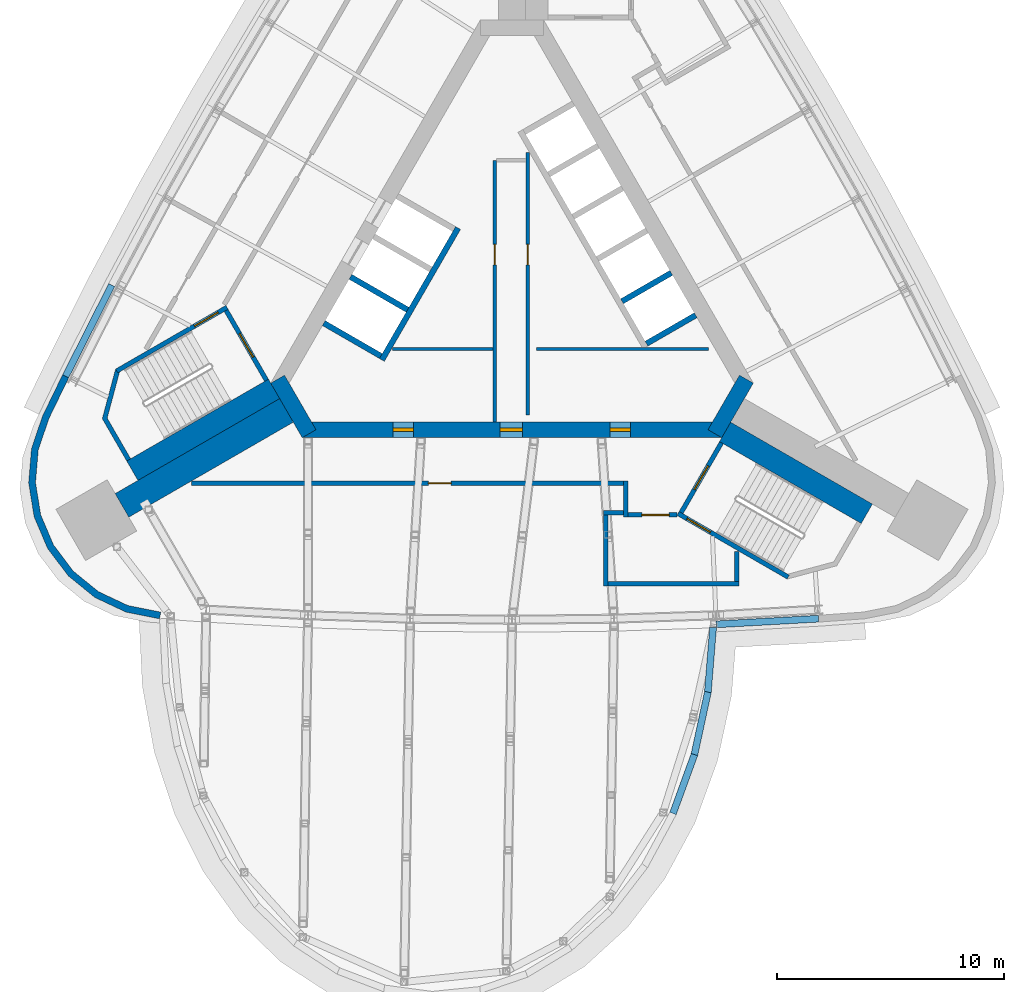
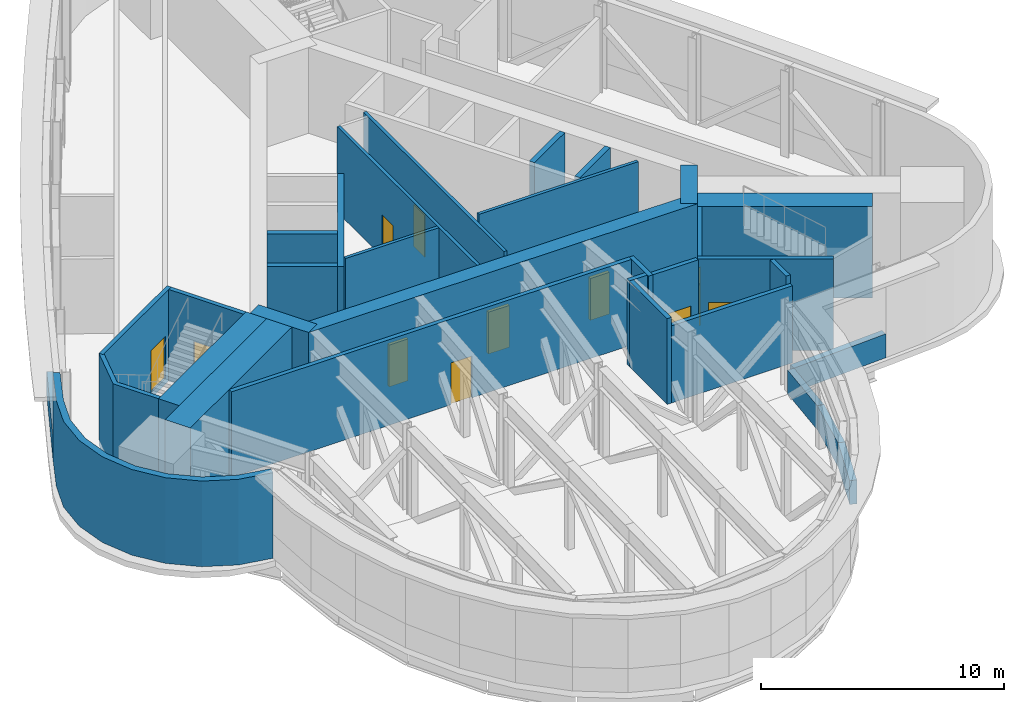
# One storey, part 6 of 10: 33 walls, 11 doors, 11 openings.
"""IFC4 building model written with IfcOpenShell, lengths in metres."""

from ifc_helpers import new_model, si_unit, direction, frame, frame_2d, origin, place, context, subcontext, project, spatial, polyline, rectangle, outline, extrude, material, layer, layer_set, type_object, element, fill, save


model = new_model("IFC4")

# Units and contexts
model_context = context("Model", 3, precision=1e-05, world=origin(), true_north=direction((0.0, 1.0)))
body_context = subcontext(model_context, "Body", "Model", "MODEL_VIEW")
ifc_project = project(units=[si_unit("LENGTHUNIT", "METRE"), si_unit("AREAUNIT", "SQUARE_METRE"), si_unit("VOLUMEUNIT", "CUBIC_METRE"), si_unit("PLANEANGLEUNIT", "RADIAN"), si_unit("MASSUNIT", "GRAM", prefix="KILO")], contexts=[model_context])

# Site, building, storey
site_placement = place(None, origin())
site = spatial("IfcSite", under=ifc_project, at=site_placement, CompositionType="ELEMENT")
building_placement = place(site_placement, origin())
building = spatial("IfcBuilding", under=site, at=building_placement, Name="Noor Cloister Tower", CompositionType="ELEMENT")
storey_placement = place(building_placement, frame((0.0, 0.0, 210.300048828125)))
storey = spatial("IfcBuildingStorey", under=building, at=storey_placement, Name="L54", CompositionType="ELEMENT", Elevation=210.300048828125)

# Walls
ifc_material_1 = material(Name="Concrete C70/85", Category="concrete")
ifc_layer_1 = layer(ifc_material_1, 1.199951171875)
ifc_layer_set_1 = layer_set([ifc_layer_1], Name="Buttress wall 1200 C70/85")
wall_type_1 = type_object("IfcWallType", Name="Buttress wall 1200 C70/85", PredefinedType="SHEAR", material=ifc_layer_set_1)
wall_1_placement = place(storey_placement, frame((-9.921630859375, -5.728271484375, -0.300048828125), z_axis=(0.0, 0.0, 1.0), x_axis=(-0.866030911543, -0.499990460161, 0.0)))
element("IfcWall", 1, at=wall_1_placement, inside=storey, type_object=wall_type_1, Name="Buttress wall SW L54", PredefinedType="SHEAR", context=body_context, shape_type="SweptSolid", body=[
    extrude(rectangle(XDim=8.358642578125, YDim=1.199951171875, at=frame_2d((4.17919921875, 0.0))), origin(), (0.0, 0.0, 1.0), 4.60009765625),
])
ifc_material_2 = material(Name="Concrete C30/37", Category="concrete")
ifc_layer_2 = layer(ifc_material_2, 0.14990234375)
ifc_layer_set_2 = layer_set([ifc_layer_2], Name="Core partition 150 C30/37")
wall_type_2 = type_object("IfcWallType", Name="Core partition 150 C30/37", PredefinedType="PARTITIONING", material=ifc_layer_set_2)
wall_2_placement = place(storey_placement, frame((-5.2578125, -3.0283203125, 0.0), z_axis=(0.0, 0.0, 1.0), x_axis=(1.0, 0.0, 0.0)))
element("IfcWall", 2, at=wall_2_placement, inside=storey, type_object=wall_type_2, Name="Core room partition L54 1", PredefinedType="PARTITIONING", context=body_context, shape_type="SweptSolid", body=[
    extrude(rectangle(XDim=4.42919921875, YDim=0.14990234375, at=frame_2d((2.214599609375, 0.0))), origin(), (0.0, 0.0, 1.0), 4.300048828125),
])

# Wall, opening, door
wall_3_placement = place(storey_placement, frame((-0.753662109375, 5.271728515625, 0.0), z_axis=(0.0, 0.0, 1.0), x_axis=(0.0, -1.0, 0.0)))
wall_3 = element("IfcWall", 3, at=wall_3_placement, inside=storey, type_object=wall_type_2, Name="Core room partition L54 2", PredefinedType="PARTITIONING", context=body_context, shape_type="SweptSolid", body=[
    extrude(rectangle(XDim=11.5, YDim=0.14990234375, at=frame_2d((5.75, 0.0))), origin(), (0.0, 0.0, 1.0), 4.300048828125),
])
opening_1_placement = place(wall_3_placement, frame((3.700927734375, 0.0, 0.0)))
opening_1 = element("IfcOpeningElement", 4, at=opening_1_placement, cuts=wall_3, Name="Opening L54-904", PredefinedType="OPENING", context=body_context, shape_type="SweptSolid", body=[
    extrude(rectangle(XDim=0.89990234375, YDim=2.10009765625, at=frame_2d((0.449951171875, 1.050048828125))), frame((0.0, 0.0849609375, 0.0), z_axis=(0.0, -1.0, 0.0), x_axis=(1.0, 0.0, 0.0)), (0.0, 0.0, 1.0), 0.169921875),
])
ifc_material_3 = material(Name="Steel", Category="steel")
door_type_1 = type_object("IfcDoorType", Name="Core door 900 x 2100 FD60", OperationType="SINGLE_SWING_LEFT", PredefinedType="DOOR", material=ifc_material_3)
door_1_placement = place(opening_1_placement, origin())
door_1 = element("IfcDoor", 5, at=door_1_placement, inside=storey, type_object=door_type_1, Name="Core door 4 L54", OperationType="SINGLE_SWING_RIGHT", OverallHeight=2.10009765625, OverallWidth=0.89990234375, PredefinedType="DOOR", context=body_context, shape_type="SweptSolid", body=[
    extrude(rectangle(XDim=0.89990234375, YDim=2.10009765625, at=frame_2d((0.449951171875, 1.050048828125))), frame((0.0, 0.02490234375, 0.0), z_axis=(0.0, -1.0, 0.0), x_axis=(1.0, 0.0, 0.0)), (0.0, 0.0, 1.0), 0.050048828125),
])
fill(opening_1, door_1)

wall_4_placement = place(storey_placement, frame((0.6962890625, -5.92822265625, 0.0), z_axis=(0.0, 0.0, 1.0), x_axis=(0.0, 1.0, 0.0)))
wall_4 = element("IfcWall", 6, at=wall_4_placement, inside=storey, type_object=wall_type_2, Name="Core room partition L54 4", PredefinedType="PARTITIONING", context=body_context, shape_type="SweptSolid", body=[
    extrude(rectangle(XDim=11.548583984375, YDim=0.14990234375, at=frame_2d((5.7744140625, 0.0))), origin(), (0.0, 0.0, 1.0), 4.300048828125),
])
opening_2_placement = place(wall_4_placement, frame((6.60009765625, 0.0, 0.0)))
opening_2 = element("IfcOpeningElement", 7, at=opening_2_placement, cuts=wall_4, Name="Opening L54-905", PredefinedType="OPENING", context=body_context, shape_type="SweptSolid", body=[
    extrude(rectangle(XDim=0.89990234375, YDim=2.10009765625, at=frame_2d((0.449951171875, 1.050048828125))), frame((0.0, 0.0849609375, 0.0), z_axis=(0.0, -1.0, 0.0), x_axis=(1.0, 0.0, 0.0)), (0.0, 0.0, 1.0), 0.169921875),
])
ifc_material_4 = material(Name="Steel", Category="steel")
door_type_2 = type_object("IfcDoorType", Name="Core door 900 x 2100 FD120", OperationType="SINGLE_SWING_LEFT", PredefinedType="DOOR", material=ifc_material_4)
door_2_placement = place(opening_2_placement, origin())
door_2 = element("IfcDoor", 8, at=door_2_placement, inside=storey, type_object=door_type_2, Name="Core door 5 L54", OperationType="SINGLE_SWING_LEFT", OverallHeight=2.10009765625, OverallWidth=0.89990234375, PredefinedType="DOOR", context=body_context, shape_type="SweptSolid", body=[
    extrude(rectangle(XDim=0.89990234375, YDim=2.10009765625, at=frame_2d((0.449951171875, 1.050048828125))), frame((0.0, 0.02490234375, 0.0), z_axis=(0.0, -1.0, 0.0), x_axis=(1.0, 0.0, 0.0)), (0.0, 0.0, 1.0), 0.050048828125),
])
fill(opening_2, door_2)

# Wall
wall_5_placement = place(storey_placement, frame((1.0712890625, -3.0283203125, 0.0), z_axis=(0.0, 0.0, 1.0), x_axis=(1.0, 0.0, 0.0)))
element("IfcWall", 9, at=wall_5_placement, inside=storey, type_object=wall_type_2, Name="Core room partition L54 5", PredefinedType="PARTITIONING", context=body_context, shape_type="SweptSolid", body=[
    extrude(rectangle(XDim=7.568603515625, YDim=0.14990234375, at=frame_2d((3.7841796875, 0.0))), origin(), (0.0, 0.0, 1.0), 4.300048828125),
])

# Wall, openings, doors
ifc_material_5 = material(Name="Concrete C70/85", Category="concrete")
ifc_layer_3 = layer(ifc_material_5, 0.699951171875)
ifc_layer_set_3 = layer_set([ifc_layer_3], Name="Core wall 700 C70/85")
wall_type_3 = type_object("IfcWallType", Name="Core wall 700 C70/85", PredefinedType="SHEAR", material=ifc_layer_set_3)
wall_6_placement = place(storey_placement, frame((-9.228759765625, -6.578125, -0.300048828125), z_axis=(0.0, 0.0, 1.0), x_axis=(1.0, 0.0, 0.0)))
wall_6 = element("IfcWall", 10, at=wall_6_placement, inside=storey, type_object=wall_type_3, Name="Core wall L54 1", PredefinedType="SHEAR", context=body_context, shape_type="SweptSolid", body=[
    extrude(rectangle(XDim=18.45751953125, YDim=0.699951171875, at=frame_2d((9.228759765625, 0.0))), origin(), (0.0, 0.0, 1.0), 4.60009765625),
])
opening_3_placement = place(wall_6_placement, frame((8.699951171875, 0.0, 0.300048828125)))
opening_3 = element("IfcOpeningElement", 11, at=opening_3_placement, cuts=wall_6, Name="Opening L54-901", PredefinedType="OPENING", context=body_context, shape_type="SweptSolid", body=[
    extrude(rectangle(XDim=1.0, YDim=2.10009765625, at=frame_2d((0.5, 1.050048828125))), frame((0.0, 0.35986328125, 0.0), z_axis=(0.0, -1.0, 0.0), x_axis=(1.0, 0.0, 0.0)), (0.0, 0.0, 1.0), 0.719970703125),
])
opening_4_placement = place(wall_6_placement, frame((3.989501953125, 0.0, 0.300048828125)))
opening_4 = element("IfcOpeningElement", 12, at=opening_4_placement, cuts=wall_6, Name="Opening L54-902", PredefinedType="OPENING", context=body_context, shape_type="SweptSolid", body=[
    extrude(rectangle(XDim=0.89990234375, YDim=2.10009765625, at=frame_2d((0.449951171875, 1.050048828125))), frame((0.0, 0.35986328125, 0.0), z_axis=(0.0, -1.0, 0.0), x_axis=(1.0, 0.0, 0.0)), (0.0, 0.0, 1.0), 0.719970703125),
])
opening_5_placement = place(wall_6_placement, frame((13.5390625, 0.0, 0.300048828125)))
opening_5 = element("IfcOpeningElement", 13, at=opening_5_placement, cuts=wall_6, Name="Opening L54-903", PredefinedType="OPENING", context=body_context, shape_type="SweptSolid", body=[
    extrude(rectangle(XDim=0.89990234375, YDim=2.10009765625, at=frame_2d((0.449951171875, 1.050048828125))), frame((0.0, 0.35986328125, 0.0), z_axis=(0.0, -1.0, 0.0), x_axis=(1.0, 0.0, 0.0)), (0.0, 0.0, 1.0), 0.719970703125),
])
ifc_material_6 = material(Name="Steel", Category="steel")
door_type_3 = type_object("IfcDoorType", Name="Core door 1000 x 2100 FD120", OperationType="SINGLE_SWING_LEFT", PredefinedType="DOOR", material=ifc_material_6)
door_3_placement = place(opening_3_placement, origin())
door_3 = element("IfcDoor", 14, at=door_3_placement, inside=storey, type_object=door_type_3, Name="Core door 1 L54", OperationType="SINGLE_SWING_LEFT", OverallHeight=2.10009765625, OverallWidth=1.0, PredefinedType="DOOR", context=body_context, shape_type="SweptSolid", body=[
    extrude(rectangle(XDim=1.0, YDim=2.10009765625, at=frame_2d((0.5, 1.050048828125))), frame((0.0, 0.074951171875, 0.0), z_axis=(0.0, -1.0, 0.0), x_axis=(1.0, 0.0, 0.0)), (0.0, 0.0, 1.0), 0.14990234375),
])
fill(opening_3, door_3)
door_4_placement = place(opening_4_placement, origin())
door_4 = element("IfcDoor", 15, at=door_4_placement, inside=storey, type_object=door_type_2, Name="Core door 2 L54", OperationType="SINGLE_SWING_RIGHT", OverallHeight=2.10009765625, OverallWidth=0.89990234375, PredefinedType="DOOR", context=body_context, shape_type="SweptSolid", body=[
    extrude(rectangle(XDim=0.89990234375, YDim=2.10009765625, at=frame_2d((0.449951171875, 1.050048828125))), frame((0.0, 0.074951171875, 0.0), z_axis=(0.0, -1.0, 0.0), x_axis=(1.0, 0.0, 0.0)), (0.0, 0.0, 1.0), 0.14990234375),
])
fill(opening_4, door_4)
door_5_placement = place(opening_5_placement, origin())
door_5 = element("IfcDoor", 16, at=door_5_placement, inside=storey, type_object=door_type_1, Name="Core door 3 L54", OperationType="SINGLE_SWING_LEFT", OverallHeight=2.10009765625, OverallWidth=0.89990234375, PredefinedType="DOOR", context=body_context, shape_type="SweptSolid", body=[
    extrude(rectangle(XDim=0.89990234375, YDim=2.10009765625, at=frame_2d((0.449951171875, 1.050048828125))), frame((0.0, 0.074951171875, 0.0), z_axis=(0.0, -1.0, 0.0), x_axis=(1.0, 0.0, 0.0)), (0.0, 0.0, 1.0), 0.14990234375),
])
fill(opening_5, door_5)

# Walls
for number, where, z_axis, x_axis, name in (
    (17, (8.925537109375, -6.753173828125, -0.300048828125), (0.0, 0.0, 1.0), (0.500042739161, 0.866000726912, 0.0), "Core wall L54 2"),
    (18, (-10.311279296875, -4.353271484375, -0.300048828125), (0.0, 0.0, 1.0), (0.500042739161, -0.866000726912, 0.0), "Core wall L54 6"),
):
    element("IfcWall", number, at=place(storey_placement, frame(where, z_axis=z_axis, x_axis=x_axis)), inside=storey, type_object=wall_type_3, Name=name, PredefinedType="SHEAR", context=body_context, shape_type="SweptSolid", body=[
        extrude(rectangle(XDim=2.771240234375, YDim=0.699951171875, at=frame_2d((1.3857421875, 0.0))), origin(), (0.0, 0.0, 1.0), 4.60009765625),
    ])
ifc_material_7 = material(Name="Limestone", Category="masonry")
ifc_layer_4 = layer(ifc_material_7, 0.300048828125)
ifc_layer_set_4 = layer_set([ifc_layer_4], Name="Limestone cladding 300")
wall_type_4 = type_object("IfcWallType", Name="Limestone cladding 300", PredefinedType="NOTDEFINED", material=ifc_layer_set_4)
wall_7_placement = place(storey_placement, origin())
element("IfcWall", 19, at=wall_7_placement, inside=storey, type_object=wall_type_4, Name="Limestone pier cladding L54 1.1", PredefinedType="NOTDEFINED", context=body_context, shape_type="SweptSolid", body=[
    extrude(outline(polyline([(-19.772216796875, -4.16162109375), (-20.65576171875, -5.98046875), (-21.139404296875, -7.411376953125), (-21.264892578125, -8.91650390625), (-21.02490234375, -10.40771484375), (-20.433837890625, -11.79736328125), (-19.52587890625, -13.00439453125), (-18.354248046875, -13.957763671875), (-16.988037109375, -14.6015625), (-15.50732421875, -14.898193359375), (-15.4482421875, -14.60400390625), (-16.893310546875, -14.314697265625), (-18.193359375, -13.701904296875), (-19.30810546875, -12.794677734375), (-20.171875, -11.646240234375), (-20.734619140625, -10.323974609375), (-20.962890625, -8.905029296875), (-20.843505859375, -7.47265625), (-20.377685546875, -6.094482421875), (-19.50244140625, -4.292724609375), (-19.772216796875, -4.16162109375)])), origin(), (0.0, 0.0, 1.0), 4.300048828125),
])
ifc_material_8 = material(Name="Limestone", Category="masonry")
ifc_layer_5 = layer(ifc_material_8, 0.300048828125)
ifc_layer_set_5 = layer_set([ifc_layer_5], Name="Limestone panel wall 300")
wall_type_5 = type_object("IfcWallType", Name="Limestone panel wall 300", PredefinedType="NOTDEFINED", material=ifc_layer_set_5)
wall_8_placement = place(storey_placement, origin())
element("IfcWall", 20, at=wall_8_placement, inside=storey, type_object=wall_type_5, Name="Limestone panel wall L54 1.6", PredefinedType="NOTDEFINED", context=body_context, shape_type="SweptSolid", body=[
    extrude(outline(polyline([(-17.7412109375, -0.14599609375), (-19.772216796875, -4.16162109375), (-19.50439453125, -4.296875), (-17.473388671875, -0.281494140625), (-17.7412109375, -0.14599609375)])), origin(), (0.0, 0.0, 1.0), 1.199951171875),
])
wall_9_placement = place(storey_placement, origin())
element("IfcWall", 21, at=wall_9_placement, inside=storey, type_object=wall_type_5, Name="Limestone panel wall L54 2.16", PredefinedType="NOTDEFINED", context=body_context, shape_type="SweptSolid", body=[
    extrude(outline(polyline([(7.22314453125, -23.513916015625), (8.167724609375, -20.922119140625), (7.8857421875, -20.8193359375), (6.94140625, -23.4111328125), (7.22314453125, -23.513916015625)])), origin(), (0.0, 0.0, 1.0), 1.199951171875),
])
wall_10_placement = place(storey_placement, origin())
element("IfcWall", 22, at=wall_10_placement, inside=storey, type_object=wall_type_5, Name="Limestone panel wall L54 2.17", PredefinedType="NOTDEFINED", context=body_context, shape_type="SweptSolid", body=[
    extrude(outline(polyline([(8.167724609375, -20.922119140625), (8.764892578125, -18.153076171875), (8.4716796875, -18.08984375), (7.87451171875, -20.85888671875), (8.167724609375, -20.922119140625)])), origin(), (0.0, 0.0, 1.0), 1.199951171875),
])
wall_11_placement = place(storey_placement, origin())
element("IfcWall", 23, at=wall_11_placement, inside=storey, type_object=wall_type_5, Name="Limestone panel wall L54 2.18", PredefinedType="NOTDEFINED", context=body_context, shape_type="SweptSolid", body=[
    extrude(outline(polyline([(8.764892578125, -18.153076171875), (8.9970703125, -15.291259765625), (8.697998046875, -15.26708984375), (8.466064453125, -18.12890625), (8.764892578125, -18.153076171875)])), origin(), (0.0, 0.0, 1.0), 1.199951171875),
])
wall_12_placement = place(storey_placement, origin())
element("IfcWall", 24, at=wall_12_placement, inside=storey, type_object=wall_type_5, Name="Limestone panel wall L54 3.1", PredefinedType="NOTDEFINED", context=body_context, shape_type="SweptSolid", body=[
    extrude(outline(polyline([(8.9970703125, -15.291259765625), (13.489990234375, -15.04248046875), (13.473388671875, -14.742919921875), (8.98046875, -14.99169921875), (8.9970703125, -15.291259765625)])), origin(), (0.0, 0.0, 1.0), 1.199951171875),
])
ifc_material_9 = material(Name="Concrete C70/85", Category="concrete")
ifc_layer_6 = layer(ifc_material_9, 0.25)
ifc_layer_set_6 = layer_set([ifc_layer_6], Name="Shaft wall 250 C70/85")
wall_type_6 = type_object("IfcWallType", Name="Shaft wall 250 C70/85", PredefinedType="PARTITIONING", material=ifc_layer_set_6)
for number, where, z_axis, x_axis, name in (
    (25, (8.081298828125, -1.540771484375, -0.300048828125), (0.0, 0.0, 1.0), (-0.866022959057, -0.500004234368, 0.0), "Lift shaft wall L54 NE 1"),
    (26, (7.00634765625, 0.3212890625, -0.300048828125), (0.0, 0.0, 1.0), (-0.866022959057, -0.500004234368, 0.0), "Lift shaft wall L54 NE 2"),
):
    element("IfcWall", number, at=place(storey_placement, frame(where, z_axis=z_axis, x_axis=x_axis)), inside=storey, type_object=wall_type_6, Name=name, PredefinedType="PARTITIONING", context=body_context, shape_type="SweptSolid", body=[
        extrude(rectangle(XDim=2.5, YDim=0.25, at=frame_2d((1.25, 0.0))), origin(), (0.0, 0.0, 1.0), 4.60009765625),
    ])
for number, where, z_axis, x_axis, name in (
    (27, (-7.106201171875, 0.14794921875, -0.300048828125), (0.0, 0.0, 1.0), (0.866032775405, -0.499987231761, 0.0), "Lift shaft wall L54 NW 5"),
    (28, (-8.28125, -1.88720703125, -0.300048828125), (0.0, 0.0, 1.0), (0.866032775405, -0.499987231761, 0.0), "Lift shaft wall L54 NW 6"),
):
    element("IfcWall", number, at=place(storey_placement, frame(where, z_axis=z_axis, x_axis=x_axis)), inside=storey, type_object=wall_type_6, Name=name, PredefinedType="PARTITIONING", context=body_context, shape_type="SweptSolid", body=[
        extrude(rectangle(XDim=2.89990234375, YDim=0.25, at=frame_2d((1.449951171875, 0.0))), origin(), (0.0, 0.0, 1.0), 4.60009765625),
    ])
wall_13_placement = place(storey_placement, frame((-2.3740234375, 2.29443359375, 0.0), z_axis=(0.0, 0.0, 1.0), x_axis=(-0.500003174267, -0.866023571113, 0.0)))
element("IfcWall", 29, at=wall_13_placement, inside=storey, type_object=wall_type_6, Name="Lift shaft back wall L54 NW", PredefinedType="PARTITIONING", context=body_context, shape_type="SweptSolid", body=[
    extrude(rectangle(XDim=6.7001953125, YDim=0.25, at=frame_2d((3.35009765625, 0.0))), origin(), (0.0, 0.0, 1.0), 4.300048828125),
])

# Wall, opening, door
ifc_material_10 = material(Name="Concrete C70/85", Category="concrete")
ifc_layer_7 = layer(ifc_material_10, 0.199951171875)
ifc_layer_set_7 = layer_set([ifc_layer_7], Name="Stair enclosure wall 200 C70/85")
wall_type_7 = type_object("IfcWallType", Name="Stair enclosure wall 200 C70/85", PredefinedType="SHEAR", material=ifc_layer_set_7)
wall_14_placement = place(storey_placement, frame((-12.575927734375, -1.33056640625, -0.300048828125), z_axis=(0.0, 0.0, 1.0), x_axis=(0.499970499736, -0.8660424351, 0.0)))
wall_14 = element("IfcWall", 30, at=wall_14_placement, inside=storey, type_object=wall_type_7, Name="Stair enclosure wall ST2 L54 near end", PredefinedType="SHEAR", context=body_context, shape_type="SweptSolid", body=[
    extrude(rectangle(XDim=3.550048828125, YDim=0.199951171875, at=frame_2d((1.77490234375, 0.0))), origin(), (0.0, 0.0, 1.0), 4.60009765625),
])
opening_6_placement = place(wall_14_placement, frame((1.175048828125, 0.0, 0.300048828125)))
opening_6 = element("IfcOpeningElement", 31, at=opening_6_placement, cuts=wall_14, Name="Opening L54-ST2L", PredefinedType="OPENING", context=body_context, shape_type="SweptSolid", body=[
    extrude(rectangle(XDim=1.199951171875, YDim=2.10009765625, at=frame_2d((0.60009765625, 1.050048828125))), frame((0.0, 0.10986328125, 0.0), z_axis=(0.0, -1.0, 0.0), x_axis=(1.0, 0.0, 0.0)), (0.0, 0.0, 1.0), 0.219970703125),
])
ifc_material_11 = material(Name="Steel", Category="steel")
door_type_4 = type_object("IfcDoorType", Name="Stair door 1200 x 2100 FD120", OperationType="SINGLE_SWING_LEFT", PredefinedType="DOOR", material=ifc_material_11)
door_6_placement = place(opening_6_placement, origin())
door_6 = element("IfcDoor", 32, at=door_6_placement, inside=storey, type_object=door_type_4, Name="Stair door ST2 L54", OperationType="SINGLE_SWING_RIGHT", OverallHeight=2.10009765625, OverallWidth=1.199951171875, PredefinedType="DOOR", context=body_context, shape_type="SweptSolid", body=[
    extrude(rectangle(XDim=1.199951171875, YDim=2.10009765625, at=frame_2d((0.60009765625, 1.050048828125))), frame((0.0, 0.02490234375, 0.0), z_axis=(0.0, -1.0, 0.0), x_axis=(1.0, 0.0, 0.0)), (0.0, 0.0, 1.0), 0.050048828125),
])
fill(opening_6, door_6)

wall_15_placement = place(storey_placement, frame((-12.539306640625, -1.194091796875, -0.300048828125), z_axis=(0.0, 0.0, 1.0), x_axis=(-0.866045472092, -0.499965239061, 0.0)))
wall_15 = element("IfcWall", 33, at=wall_15_placement, inside=storey, type_object=wall_type_7, Name="Stair enclosure wall ST2 L54 outer side", PredefinedType="SHEAR", context=body_context, shape_type="SweptSolid", body=[
    extrude(rectangle(XDim=5.60009765625, YDim=0.199951171875, at=frame_2d((2.800048828125, 0.0))), origin(), (0.0, 0.0, 1.0), 4.60009765625),
])
opening_7_placement = place(wall_15_placement, frame((0.449951171875, 0.0, 0.300048828125)))
opening_7 = element("IfcOpeningElement", 34, at=opening_7_placement, cuts=wall_15, Name="Opening L54-ST2C", PredefinedType="OPENING", context=body_context, shape_type="SweptSolid", body=[
    extrude(rectangle(XDim=1.199951171875, YDim=2.10009765625, at=frame_2d((0.60009765625, 1.050048828125))), frame((0.0, 0.10986328125, 0.0), z_axis=(0.0, -1.0, 0.0), x_axis=(1.0, 0.0, 0.0)), (0.0, 0.0, 1.0), 0.219970703125),
])
door_7_placement = place(opening_7_placement, origin())
door_7 = element("IfcDoor", 35, at=door_7_placement, inside=storey, type_object=door_type_4, Name="Stair door ST2 L54", OperationType="SINGLE_SWING_LEFT", OverallHeight=2.10009765625, OverallWidth=1.199951171875, PredefinedType="DOOR", context=body_context, shape_type="SweptSolid", body=[
    extrude(rectangle(XDim=1.199951171875, YDim=2.10009765625, at=frame_2d((0.60009765625, 1.050048828125))), frame((0.0, 0.02490234375, 0.0), z_axis=(0.0, -1.0, 0.0), x_axis=(1.0, 0.0, 0.0)), (0.0, 0.0, 1.0), 0.050048828125),
])
fill(opening_7, door_7)

wall_16_placement = place(storey_placement, frame((7.440185546875, -10.225830078125, -0.300048828125), z_axis=(0.0, 0.0, 1.0), x_axis=(0.500022077904, 0.866012656725, 0.0)))
wall_16 = element("IfcWall", 36, at=wall_16_placement, inside=storey, type_object=wall_type_7, Name="Stair enclosure wall ST3 L54 near end", PredefinedType="SHEAR", context=body_context, shape_type="SweptSolid", body=[
    extrude(rectangle(XDim=3.550048828125, YDim=0.199951171875, at=frame_2d((1.77490234375, 0.0))), origin(), (0.0, 0.0, 1.0), 4.60009765625),
])
opening_8_placement = place(wall_16_placement, frame((1.175048828125, 0.0, 0.300048828125)))
opening_8 = element("IfcOpeningElement", 37, at=opening_8_placement, cuts=wall_16, Name="Opening L54-ST3L", PredefinedType="OPENING", context=body_context, shape_type="SweptSolid", body=[
    extrude(rectangle(XDim=1.199951171875, YDim=2.10009765625, at=frame_2d((0.60009765625, 1.050048828125))), frame((0.0, 0.10986328125, 0.0), z_axis=(0.0, -1.0, 0.0), x_axis=(1.0, 0.0, 0.0)), (0.0, 0.0, 1.0), 0.219970703125),
])
door_8_placement = place(opening_8_placement, origin())
door_8 = element("IfcDoor", 38, at=door_8_placement, inside=storey, type_object=door_type_4, Name="Stair door ST3 L54", OperationType="SINGLE_SWING_RIGHT", OverallHeight=2.10009765625, OverallWidth=1.199951171875, PredefinedType="DOOR", context=body_context, shape_type="SweptSolid", body=[
    extrude(rectangle(XDim=1.199951171875, YDim=2.10009765625, at=frame_2d((0.60009765625, 1.050048828125))), frame((0.0, 0.02490234375, 0.0), z_axis=(0.0, -1.0, 0.0), x_axis=(1.0, 0.0, 0.0)), (0.0, 0.0, 1.0), 0.050048828125),
])
fill(opening_8, door_8)

wall_17_placement = place(storey_placement, frame((7.3037109375, -10.262451171875, -0.300048828125), z_axis=(0.0, 0.0, 1.0), x_axis=(0.866026594901, -0.49999793692, 0.0)))
wall_17 = element("IfcWall", 39, at=wall_17_placement, inside=storey, type_object=wall_type_7, Name="Stair enclosure wall ST3 L54 outer side", PredefinedType="SHEAR", context=body_context, shape_type="SweptSolid", body=[
    extrude(rectangle(XDim=5.60009765625, YDim=0.199951171875, at=frame_2d((2.800048828125, 0.0))), origin(), (0.0, 0.0, 1.0), 4.60009765625),
])
opening_9_placement = place(wall_17_placement, frame((0.449951171875, 0.0, 0.300048828125)))
opening_9 = element("IfcOpeningElement", 40, at=opening_9_placement, cuts=wall_17, Name="Opening L54-ST3C", PredefinedType="OPENING", context=body_context, shape_type="SweptSolid", body=[
    extrude(rectangle(XDim=1.199951171875, YDim=2.10009765625, at=frame_2d((0.60009765625, 1.050048828125))), frame((0.0, 0.10986328125, 0.0), z_axis=(0.0, -1.0, 0.0), x_axis=(1.0, 0.0, 0.0)), (0.0, 0.0, 1.0), 0.219970703125),
])
door_9_placement = place(opening_9_placement, origin())
door_9 = element("IfcDoor", 41, at=door_9_placement, inside=storey, type_object=door_type_4, Name="Stair door ST3 L54", OperationType="SINGLE_SWING_LEFT", OverallHeight=2.10009765625, OverallWidth=1.199951171875, PredefinedType="DOOR", context=body_context, shape_type="SweptSolid", body=[
    extrude(rectangle(XDim=1.199951171875, YDim=2.10009765625, at=frame_2d((0.60009765625, 1.050048828125))), frame((0.0, 0.02490234375, 0.0), z_axis=(0.0, -1.0, 0.0), x_axis=(1.0, 0.0, 0.0)), (0.0, 0.0, 1.0), 0.050048828125),
])
fill(opening_9, door_9)

# Walls
ifc_material_12 = material(Name="Concrete C70/85", Category="concrete")
ifc_layer_8 = layer(ifc_material_12, 0.986083984375)
ifc_layer_set_8 = layer_set([ifc_layer_8], Name="Stair enclosure wall 986 C70/85")
wall_type_8 = type_object("IfcWallType", Name="Stair enclosure wall 986 C70/85", PredefinedType="SHEAR", material=ifc_layer_set_8)
wall_18_placement = place(storey_placement, frame((-10.468017578125, -4.78173828125, -0.300048828125), z_axis=(0.0, 0.0, 1.0), x_axis=(-0.866018442252, -0.500012057535, 0.0)))
element("IfcWall", 42, at=wall_18_placement, inside=storey, type_object=wall_type_8, Name="Stair enclosure wall ST2 L54 riser side", PredefinedType="SHEAR", context=body_context, shape_type="SweptSolid", body=[
    extrude(rectangle(XDim=7.199951171875, YDim=0.985595703125, at=frame_2d((3.60009765625, 0.0))), origin(), (0.0, 0.0, 1.0), 4.60009765625),
])
wall_19_placement = place(storey_placement, frame((9.375, -6.674560546875, -0.300048828125), z_axis=(0.0, 0.0, 1.0), x_axis=(0.866026919366, -0.499997374926, 0.0)))
element("IfcWall", 43, at=wall_19_placement, inside=storey, type_object=wall_type_8, Name="Stair enclosure wall ST3 L54 riser side", PredefinedType="SHEAR", context=body_context, shape_type="SweptSolid", body=[
    extrude(rectangle(XDim=7.2001953125, YDim=0.985595703125, at=frame_2d((3.60009765625, 0.0))), origin(), (0.0, 0.0, 1.0), 4.60009765625),
])
ifc_material_13 = material(Name="Concrete C70/85", Category="concrete")
wall_type_9 = type_object("IfcWallType", Name="Stair far end wall C70/85", PredefinedType="SHEAR", material=ifc_material_13)
wall_20_placement = place(storey_placement, frame((0.0, 0.0, -0.300048828125)))
element("IfcWall", 44, at=wall_20_placement, inside=storey, type_object=wall_type_9, Name="Stair enclosure wall ST2 L54 far end", PredefinedType="SHEAR", context=body_context, shape_type="SweptSolid", body=[
    extrude(outline(polyline([(-17.439208984375, -3.907470703125), (-18.024658203125, -6.093017578125), (-16.94970703125, -7.955078125), (-16.776611328125, -7.85498046875), (-17.81005859375, -6.064697265625), (-17.267333984375, -4.039306640625), (-17.339111328125, -4.08056640625), (-17.339111328125, -4.08056640625), (-17.339111328125, -4.08056640625), (-17.339111328125, -4.08056640625), (-17.339111328125, -4.08056640625), (-17.339111328125, -4.08056640625), (-17.339111328125, -4.08056640625), (-17.339111328125, -4.08056640625), (-17.339111328125, -4.08056640625), (-17.339111328125, -4.08056640625), (-17.339111328125, -4.08056640625), (-17.339111328125, -4.08056640625), (-17.339111328125, -4.08056640625), (-17.339111328125, -4.08056640625), (-17.339111328125, -4.08056640625), (-17.339111328125, -4.08056640625), (-17.339111328125, -4.08056640625), (-17.439208984375, -3.907470703125)])), origin(), (0.0, 0.0, 1.0), 4.60009765625),
])
ifc_material_14 = material(Name="Concrete block wall, 200 mm", Category="concrete")
ifc_layer_9 = layer(ifc_material_14, 0.199951171875)
ifc_layer_set_9 = layer_set([ifc_layer_9], Name="Upper floor plant room wall 200")
wall_type_10 = type_object("IfcWallType", Name="Upper floor plant room wall 200", PredefinedType="PARTITIONING", material=ifc_layer_set_9)
wall_21_placement = place(storey_placement, frame((4.03564453125, -10.228271484375, 0.0), z_axis=(0.0, 0.0, 1.0), x_axis=(1.0, 0.0, 0.0)))
element("IfcWall", 45, at=wall_21_placement, inside=storey, type_object=wall_type_10, Name="Upper floor plant room wall 200 L54 005", PredefinedType="PARTITIONING", context=body_context, shape_type="SweptSolid", body=[
    extrude(rectangle(XDim=0.8642578125, YDim=0.199951171875, at=frame_2d((0.43212890625, 0.0))), origin(), (0.0, 0.0, 1.0), 4.300048828125),
])
wall_22_placement = place(storey_placement, frame((5.0, -10.42822265625, 0.0), z_axis=(0.0, 0.0, 1.0), x_axis=(0.0, 1.0, 0.0)))
element("IfcWall", 46, at=wall_22_placement, inside=storey, type_object=wall_type_10, Name="Upper floor plant room wall 200 L54 006", PredefinedType="PARTITIONING", context=body_context, shape_type="SweptSolid", body=[
    extrude(rectangle(XDim=1.59814453125, YDim=0.199951171875, at=frame_2d((0.799072265625, 0.0))), origin(), (0.0, 0.0, 1.0), 4.300048828125),
])

# Wall, opening, door
wall_23_placement = place(storey_placement, frame((5.10009765625, -10.328125, 0.0), z_axis=(0.0, 0.0, 1.0), x_axis=(1.0, 0.0, 0.0)))
wall_23 = element("IfcWall", 47, at=wall_23_placement, inside=storey, type_object=wall_type_10, Name="Upper floor plant room wall 200 L54 007", PredefinedType="PARTITIONING", context=body_context, shape_type="SweptSolid", body=[
    extrude(rectangle(XDim=2.153564453125, YDim=0.199951171875, at=frame_2d((1.07666015625, 0.0))), origin(), (0.0, 0.0, 1.0), 4.300048828125),
])
opening_10_placement = place(wall_23_placement, frame((0.61474609375, 0.0, 0.0)))
opening_10 = element("IfcOpeningElement", 48, at=opening_10_placement, cuts=wall_23, Name="Opening L54-006", PredefinedType="OPENING", context=body_context, shape_type="SweptSolid", body=[
    extrude(rectangle(XDim=1.199951171875, YDim=2.10009765625, at=frame_2d((0.60009765625, 1.050048828125))), frame((0.0, 0.10986328125, 0.0), z_axis=(0.0, -1.0, 0.0), x_axis=(1.0, 0.0, 0.0)), (0.0, 0.0, 1.0), 0.219970703125),
])
ifc_material_15 = material(Name="Timber door leaf with steel frame", Category="steel")
door_type_5 = type_object("IfcDoorType", Name="Protected lobby door 1200", OperationType="NOTDEFINED", PredefinedType="DOOR", material=ifc_material_15)
door_10_placement = place(opening_10_placement, origin())
door_10 = element("IfcDoor", 49, at=door_10_placement, inside=storey, type_object=door_type_5, Name="Protected lobby door 1200 L54-006", OperationType="SINGLE_SWING_RIGHT", OverallHeight=2.10009765625, OverallWidth=1.199951171875, PredefinedType="DOOR", context=body_context, shape_type="SweptSolid", body=[
    extrude(rectangle(XDim=1.199951171875, YDim=2.10009765625, at=frame_2d((0.60009765625, 1.050048828125))), frame((0.0, 0.02490234375, 0.0), z_axis=(0.0, -1.0, 0.0), x_axis=(1.0, 0.0, 0.0)), (0.0, 0.0, 1.0), 0.050048828125),
])
fill(opening_10, door_10)

wall_24_placement = place(storey_placement, frame((-14.0908203125, -8.92822265625, 0.0), z_axis=(0.0, 0.0, 1.0), x_axis=(1.0, 0.0, 0.0)))
wall_24 = element("IfcWall", 50, at=wall_24_placement, inside=storey, type_object=wall_type_10, Name="Upper floor plant room wall 200 L54 008", PredefinedType="PARTITIONING", context=body_context, shape_type="SweptSolid", body=[
    extrude(rectangle(XDim=18.99072265625, YDim=0.199951171875, at=frame_2d((9.495361328125, 0.0))), origin(), (0.0, 0.0, 1.0), 4.300048828125),
])
opening_11_placement = place(wall_24_placement, frame((10.4111328125, 0.0, 0.0)))
opening_11 = element("IfcOpeningElement", 51, at=opening_11_placement, cuts=wall_24, Name="Opening L54-005", PredefinedType="OPENING", context=body_context, shape_type="SweptSolid", body=[
    extrude(rectangle(XDim=1.0, YDim=2.10009765625, at=frame_2d((0.5, 1.050048828125))), frame((0.0, 0.10986328125, 0.0), z_axis=(0.0, -1.0, 0.0), x_axis=(1.0, 0.0, 0.0)), (0.0, 0.0, 1.0), 0.219970703125),
])
ifc_material_16 = material(Name="Timber door leaf with steel frame", Category="steel")
door_type_6 = type_object("IfcDoorType", Name="Plant room door 1000", OperationType="NOTDEFINED", PredefinedType="DOOR", material=ifc_material_16)
door_11_placement = place(opening_11_placement, origin())
door_11 = element("IfcDoor", 52, at=door_11_placement, inside=storey, type_object=door_type_6, Name="Plant room door 1000 L54-005", OperationType="SINGLE_SWING_RIGHT", OverallHeight=2.10009765625, OverallWidth=1.0, PredefinedType="DOOR", context=body_context, shape_type="SweptSolid", body=[
    extrude(rectangle(XDim=1.0, YDim=2.10009765625, at=frame_2d((0.5, 1.050048828125))), frame((0.0, 0.02490234375, 0.0), z_axis=(0.0, -1.0, 0.0), x_axis=(1.0, 0.0, 0.0)), (0.0, 0.0, 1.0), 0.050048828125),
])
fill(opening_11, door_11)

# Walls
wall_25_placement = place(storey_placement, frame((4.133544921875, -10.328125, 0.0), z_axis=(0.0, 0.0, 1.0), x_axis=(0.0, -1.0, 0.0)))
element("IfcWall", 53, at=wall_25_placement, inside=storey, type_object=wall_type_10, Name="Upper floor plant room wall 200 L54 009", PredefinedType="PARTITIONING", context=body_context, shape_type="SweptSolid", body=[
    extrude(rectangle(XDim=3.11962890625, YDim=0.199951171875, at=frame_2d((1.559814453125, 0.0))), origin(), (0.0, 0.0, 1.0), 4.300048828125),
])
wall_26_placement = place(storey_placement, frame((4.233642578125, -13.349853515625, 0.0), z_axis=(0.0, 0.0, 1.0), x_axis=(1.0, 0.0, 0.0)))
element("IfcWall", 54, at=wall_26_placement, inside=storey, type_object=wall_type_10, Name="Upper floor plant room wall 200 L54 010", PredefinedType="PARTITIONING", context=body_context, shape_type="SweptSolid", body=[
    extrude(rectangle(XDim=5.7568359375, YDim=0.199951171875, at=frame_2d((2.87841796875, 0.0))), origin(), (0.0, 0.0, 1.0), 3.8740234375),
])
wall_27_placement = place(storey_placement, frame((9.892578125, -13.249755859375, 0.0), z_axis=(0.0, 0.0, 1.0), x_axis=(0.0, 1.0, 0.0)))
element("IfcWall", 55, at=wall_27_placement, inside=storey, type_object=wall_type_10, Name="Upper floor plant room wall 200 L54 011", PredefinedType="PARTITIONING", context=body_context, shape_type="SweptSolid", body=[
    extrude(rectangle(XDim=1.319580078125, YDim=0.199951171875, at=frame_2d((0.65966796875, 0.0))), origin(), (0.0, 0.0, 1.0), 4.300048828125),
])

save(model, "model.ifc")
